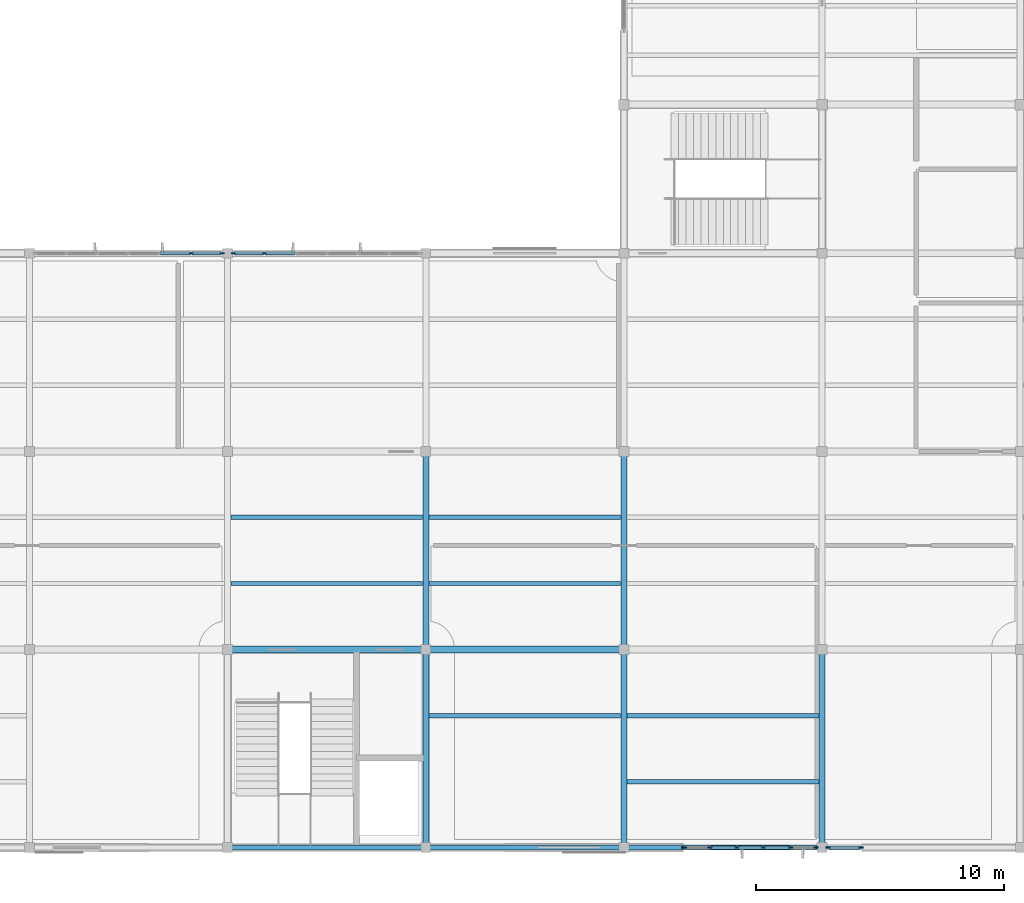
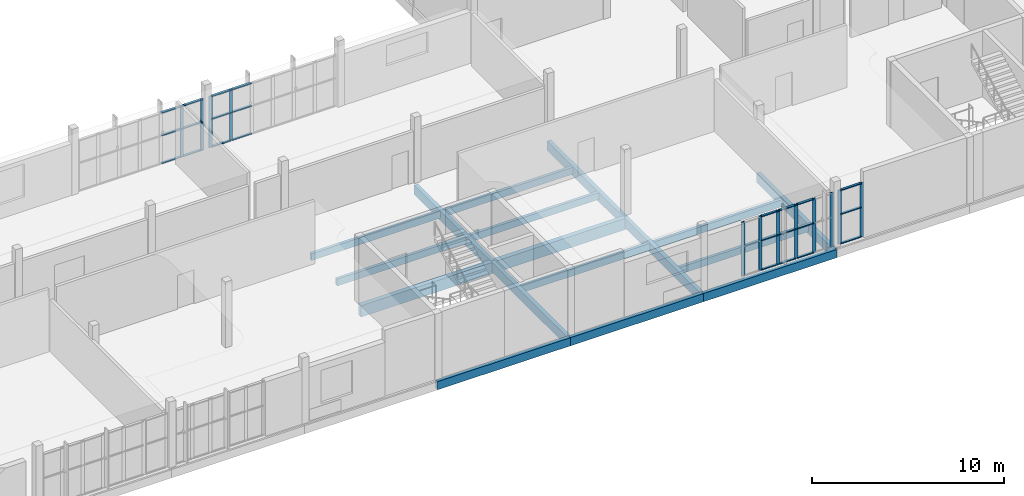
# One storey, part 13 of 45: 36 members, 17 beams, 4 elements without a shape of their own.
"""IFC4 building model written with IfcOpenShell, lengths in metres."""

from ifc_helpers import new_model, si_unit, direction, frame, origin, origin_2d, place, context, subcontext, project, spatial, rectangle, extrude, material, layer, layer_set, material_profile, profile_set, type_object, element, aggregate, save


model = new_model("IFC4")

# Units and contexts
model_context = context("Model", 3, precision=1e-05, world=origin(), true_north=direction((0.0, 1.0)))
body_context = subcontext(model_context, "Body", "Model", "MODEL_VIEW")
ifc_project = project(units=[si_unit("LENGTHUNIT", "METRE"), si_unit("AREAUNIT", "SQUARE_METRE"), si_unit("VOLUMEUNIT", "CUBIC_METRE"), si_unit("PLANEANGLEUNIT", "RADIAN"), si_unit("MASSUNIT", "GRAM", prefix="KILO")], contexts=[model_context])

# Site, building, storey
site_placement = place(None, origin())
site = spatial("IfcSite", under=ifc_project, at=site_placement, CompositionType="ELEMENT")
building_placement = place(site_placement, origin())
building = spatial("IfcBuilding", under=site, at=building_placement, Name="Solvane Community Centre", CompositionType="ELEMENT")
storey_placement = place(building_placement, frame((0.0, 0.0, 13.800048828125)))
storey = spatial("IfcBuildingStorey", under=building, at=storey_placement, Name="L03", CompositionType="ELEMENT", Elevation=13.800048828125)

# Curtain wall, members
ifc_material_1 = material(Name="Anodised bronze aluminium AW-6063 T6", Category="aluminium")
ifc_layer_1 = layer(ifc_material_1, 0.199951171875)
ifc_layer_set_1 = layer_set([ifc_layer_1], Name="Anodised bronze aluminium AW-6063 T6")
curtain_wall_type_1 = type_object("IfcCurtainWallType", Name="Courtyard Cloister Curtain Wall [14x34dm]", PredefinedType="NOTDEFINED", material=ifc_layer_set_1)
curtain_wall_1_placement = place(storey_placement, origin())
curtain_wall_1 = element("IfcCurtainWall", 1, at=curtain_wall_1_placement, inside=storey, type_object=curtain_wall_type_1, Name="Curtain Wall CW-L03-1256_60-215", PredefinedType="NOTDEFINED")
ifc_material_profile_1 = material_profile(ifc_material_1, rectangle(XDim=0.06005859375, YDim=0.199951171875, at=origin_2d()), Name="CW-M 60x200")
ifc_profile_set_1 = profile_set([ifc_material_profile_1], Name="Anodised bronze aluminium AW-6063 T6")
member_type_1 = type_object("IfcMemberType", Name="Cloister Mullion 60x200", PredefinedType="MULLION", material=ifc_profile_set_1)
member_1_placement = place(storey_placement, frame((125.570068359375, 6.0, 0.0), z_axis=(0.0, 0.0, 1.0), x_axis=(0.0, -1.0, 0.0)))
member_1 = element("IfcMember", 2, at=member_1_placement, type_object=member_type_1, Name="CW03-14x34 mullion 1", PredefinedType="MULLION", context=body_context, shape_type="SweptSolid", body=[
    extrude(rectangle(XDim=0.06005859375, YDim=0.199951171875, at=origin_2d()), origin(), (0.0, 0.0, 1.0), 3.445068359375),
])
member_2_placement = place(storey_placement, frame((124.2451171875, 6.0, 0.0), z_axis=(0.0, 0.0, 1.0), x_axis=(0.0, -1.0, 0.0)))
member_2 = element("IfcMember", 3, at=member_2_placement, type_object=member_type_1, Name="CW03-14x34 mullion 2", PredefinedType="MULLION", context=body_context, shape_type="SweptSolid", body=[
    extrude(rectangle(XDim=0.06005859375, YDim=0.199951171875, at=origin_2d()), origin(), (0.0, 0.0, 1.0), 3.445068359375),
])

ifc_layer_2 = layer(ifc_material_1, 0.199951171875)
ifc_layer_set_2 = layer_set([ifc_layer_2], Name="Anodised bronze aluminium AW-6063 T6")
curtain_wall_type_2 = type_object("IfcCurtainWallType", Name="Courtyard Cloister Curtain Wall [54x34dm]", PredefinedType="NOTDEFINED", material=ifc_layer_set_2)
curtain_wall_2_placement = place(storey_placement, origin())
curtain_wall_2 = element("IfcCurtainWall", 4, at=curtain_wall_2_placement, inside=storey, type_object=curtain_wall_type_2, Name="Curtain Wall CW-L03-1238_60-216", PredefinedType="NOTDEFINED")
member_3_placement = place(storey_placement, frame((123.7548828125, 6.0, 0.0), z_axis=(0.0, 0.0, 1.0), x_axis=(0.0, -1.0, 0.0)))
member_3 = element("IfcMember", 5, at=member_3_placement, type_object=member_type_1, Name="CW03-54x34 mullion 1", PredefinedType="MULLION", context=body_context, shape_type="SweptSolid", body=[
    extrude(rectangle(XDim=0.06005859375, YDim=0.199951171875, at=origin_2d()), origin(), (0.0, 0.0, 1.0), 3.445068359375),
])
member_4_placement = place(storey_placement, frame((122.7080078125, 6.0, 0.0), z_axis=(0.0, 0.0, 1.0), x_axis=(0.0, -1.0, 0.0)))
member_4 = element("IfcMember", 6, at=member_4_placement, type_object=member_type_1, Name="CW03-54x34 mullion 2", PredefinedType="MULLION", context=body_context, shape_type="SweptSolid", body=[
    extrude(rectangle(XDim=0.06005859375, YDim=0.199951171875, at=origin_2d()), origin(), (0.0, 0.0, 1.0), 3.445068359375),
])
member_5_placement = place(storey_placement, frame((121.631103515625, 6.0, 0.0), z_axis=(0.0, 0.0, 1.0), x_axis=(0.0, -1.0, 0.0)))
member_5 = element("IfcMember", 7, at=member_5_placement, type_object=member_type_1, Name="CW03-54x34 mullion 3", PredefinedType="MULLION", context=body_context, shape_type="SweptSolid", body=[
    extrude(rectangle(XDim=0.06005859375, YDim=0.199951171875, at=origin_2d()), origin(), (0.0, 0.0, 1.0), 3.445068359375),
])
member_6_placement = place(storey_placement, frame((120.553955078125, 6.0, 0.0), z_axis=(0.0, 0.0, 1.0), x_axis=(0.0, -1.0, 0.0)))
member_6 = element("IfcMember", 8, at=member_6_placement, type_object=member_type_1, Name="CW03-54x34 mullion 4", PredefinedType="MULLION", context=body_context, shape_type="SweptSolid", body=[
    extrude(rectangle(XDim=0.06005859375, YDim=0.199951171875, at=origin_2d()), origin(), (0.0, 0.0, 1.0), 3.445068359375),
])
member_7_placement = place(storey_placement, frame((119.47705078125, 6.0, 0.0), z_axis=(0.0, 0.0, 1.0), x_axis=(0.0, -1.0, 0.0)))
member_7 = element("IfcMember", 9, at=member_7_placement, type_object=member_type_1, Name="CW03-54x34 mullion 5", PredefinedType="MULLION", context=body_context, shape_type="SweptSolid", body=[
    extrude(rectangle(XDim=0.06005859375, YDim=0.199951171875, at=origin_2d()), origin(), (0.0, 0.0, 1.0), 3.445068359375),
])
member_8_placement = place(storey_placement, frame((118.429931640625, 6.0, 0.0), z_axis=(0.0, 0.0, 1.0), x_axis=(0.0, -1.0, 0.0)))
member_8 = element("IfcMember", 10, at=member_8_placement, type_object=member_type_1, Name="CW03-54x34 mullion 6", PredefinedType="MULLION", context=body_context, shape_type="SweptSolid", body=[
    extrude(rectangle(XDim=0.06005859375, YDim=0.199951171875, at=origin_2d()), origin(), (0.0, 0.0, 1.0), 3.445068359375),
])

ifc_layer_3 = layer(ifc_material_1, 0.199951171875)
ifc_layer_set_3 = layer_set([ifc_layer_3], Name="Anodised bronze aluminium AW-6063 T6")
curtain_wall_type_3 = type_object("IfcCurtainWallType", Name="Courtyard Cloister Curtain Wall [76x33dm]", PredefinedType="NOTDEFINED", material=ifc_layer_set_3)
curtain_wall_3_placement = place(storey_placement, origin())
curtain_wall_3 = element("IfcCurtainWall", 11, at=curtain_wall_3_placement, inside=storey, type_object=curtain_wall_type_3, Name="Curtain Wall CW-L03-922_300-223", PredefinedType="NOTDEFINED")
member_9_placement = place(storey_placement, frame((98.5234375, 30.0, 0.0), z_axis=(0.0, 0.0, 1.0), x_axis=(0.0, 1.0, 0.0)))
member_9 = element("IfcMember", 12, at=member_9_placement, type_object=member_type_1, Name="CW03-76x33 mullion 6", PredefinedType="MULLION", context=body_context, shape_type="SweptSolid", body=[
    extrude(rectangle(XDim=0.06005859375, YDim=0.199951171875, at=origin_2d()), origin(), (0.0, 0.0, 1.0), 3.264892578125),
])
member_10_placement = place(storey_placement, frame((99.7548828125, 30.0, 0.0), z_axis=(0.0, 0.0, 1.0), x_axis=(0.0, 1.0, 0.0)))
member_10 = element("IfcMember", 13, at=member_10_placement, type_object=member_type_1, Name="CW03-76x33 mullion 7", PredefinedType="MULLION", context=body_context, shape_type="SweptSolid", body=[
    extrude(rectangle(XDim=0.06005859375, YDim=0.199951171875, at=origin_2d()), origin(), (0.0, 0.0, 1.0), 3.264892578125),
])

curtain_wall_4_placement = place(storey_placement, origin())
curtain_wall_4 = element("IfcCurtainWall", 14, at=curtain_wall_4_placement, inside=storey, type_object=curtain_wall_type_3, Name="Curtain Wall CW-L03-1002_300-224", PredefinedType="NOTDEFINED")
member_11_placement = place(storey_placement, frame((100.2451171875, 30.0, 0.0), z_axis=(0.0, 0.0, 1.0), x_axis=(0.0, 1.0, 0.0)))
member_11 = element("IfcMember", 15, at=member_11_placement, type_object=member_type_1, Name="CW03-76x33 mullion 1", PredefinedType="MULLION", context=body_context, shape_type="SweptSolid", body=[
    extrude(rectangle(XDim=0.06005859375, YDim=0.199951171875, at=origin_2d()), origin(), (0.0, 0.0, 1.0), 3.264892578125),
])
member_12_placement = place(storey_placement, frame((101.4765625, 30.0, 0.0), z_axis=(0.0, 0.0, 1.0), x_axis=(0.0, 1.0, 0.0)))
member_12 = element("IfcMember", 16, at=member_12_placement, type_object=member_type_1, Name="CW03-76x33 mullion 2", PredefinedType="MULLION", context=body_context, shape_type="SweptSolid", body=[
    extrude(rectangle(XDim=0.06005859375, YDim=0.199951171875, at=origin_2d()), origin(), (0.0, 0.0, 1.0), 3.264892578125),
])

# Member
ifc_material_profile_2 = material_profile(ifc_material_1, rectangle(XDim=0.139892578125, YDim=0.06005859375, at=origin_2d()), Name="CW-T 60x140")
ifc_profile_set_2 = profile_set([ifc_material_profile_2], Name="Anodised bronze aluminium AW-6063 T6")
member_type_2 = type_object("IfcMemberType", Name="Cloister Transom 60x140", PredefinedType="USERDEFINED", material=ifc_profile_set_2)
member_13_placement = place(storey_placement, frame((125.5400390625, 6.0, 0.030029296875), z_axis=(-1.0, 0.0, 0.0), x_axis=(0.0, -1.0, 0.0)))
member_13 = element("IfcMember", 17, at=member_13_placement, type_object=member_type_2, Name="CW03-14x34 transom 1.1", ObjectType="TRANSOM", PredefinedType="USERDEFINED", context=body_context, shape_type="SweptSolid", body=[
    extrude(rectangle(XDim=0.139892578125, YDim=0.06005859375, at=origin_2d()), origin(), (0.0, 0.0, 1.0), 1.26513671875),
])

member_14_placement = place(storey_placement, frame((125.5400390625, 6.0, 1.89501953125), z_axis=(-1.0, 0.0, 0.0), x_axis=(0.0, -1.0, 0.0)))
member_14 = element("IfcMember", 18, at=member_14_placement, type_object=member_type_2, Name="CW03-14x34 transom 1.2", ObjectType="TRANSOM", PredefinedType="USERDEFINED", context=body_context, shape_type="SweptSolid", body=[
    extrude(rectangle(XDim=0.139892578125, YDim=0.06005859375, at=origin_2d()), origin(), (0.0, 0.0, 1.0), 1.26513671875),
])

member_15_placement = place(storey_placement, frame((125.5400390625, 6.0, 3.4150390625), z_axis=(-1.0, 0.0, 0.0), x_axis=(0.0, -1.0, 0.0)))
member_15 = element("IfcMember", 19, at=member_15_placement, type_object=member_type_2, Name="CW03-14x34 transom 1.3", ObjectType="TRANSOM", PredefinedType="USERDEFINED", context=body_context, shape_type="SweptSolid", body=[
    extrude(rectangle(XDim=0.139892578125, YDim=0.06005859375, at=origin_2d()), origin(), (0.0, 0.0, 1.0), 1.26513671875),
])

aggregate(curtain_wall_1, [member_1, member_2, member_13, member_14, member_15])

member_16_placement = place(storey_placement, frame((122.677978515625, 6.0, 0.030029296875), z_axis=(-1.0, 0.0, 0.0), x_axis=(0.0, -1.0, 0.0)))
member_16 = element("IfcMember", 20, at=member_16_placement, type_object=member_type_2, Name="CW03-54x34 transom 2.1", ObjectType="TRANSOM", PredefinedType="USERDEFINED", context=body_context, shape_type="SweptSolid", body=[
    extrude(rectangle(XDim=0.139892578125, YDim=0.06005859375, at=origin_2d()), origin(), (0.0, 0.0, 1.0), 1.01708984375),
])

member_17_placement = place(storey_placement, frame((122.677978515625, 6.0, 1.89501953125), z_axis=(-1.0, 0.0, 0.0), x_axis=(0.0, -1.0, 0.0)))
member_17 = element("IfcMember", 21, at=member_17_placement, type_object=member_type_2, Name="CW03-54x34 transom 2.2", ObjectType="TRANSOM", PredefinedType="USERDEFINED", context=body_context, shape_type="SweptSolid", body=[
    extrude(rectangle(XDim=0.139892578125, YDim=0.06005859375, at=origin_2d()), origin(), (0.0, 0.0, 1.0), 1.01708984375),
])

member_18_placement = place(storey_placement, frame((122.677978515625, 6.0, 3.4150390625), z_axis=(-1.0, 0.0, 0.0), x_axis=(0.0, -1.0, 0.0)))
member_18 = element("IfcMember", 22, at=member_18_placement, type_object=member_type_2, Name="CW03-54x34 transom 2.3", ObjectType="TRANSOM", PredefinedType="USERDEFINED", context=body_context, shape_type="SweptSolid", body=[
    extrude(rectangle(XDim=0.139892578125, YDim=0.06005859375, at=origin_2d()), origin(), (0.0, 0.0, 1.0), 1.01708984375),
])

member_19_placement = place(storey_placement, frame((121.60107421875, 6.0, 0.030029296875), z_axis=(-1.0, 0.0, 0.0), x_axis=(0.0, -1.0, 0.0)))
member_19 = element("IfcMember", 23, at=member_19_placement, type_object=member_type_2, Name="CW03-54x34 transom 3.1", ObjectType="TRANSOM", PredefinedType="USERDEFINED", context=body_context, shape_type="SweptSolid", body=[
    extrude(rectangle(XDim=0.139892578125, YDim=0.06005859375, at=origin_2d()), origin(), (0.0, 0.0, 1.0), 1.01708984375),
])

member_20_placement = place(storey_placement, frame((121.60107421875, 6.0, 1.89501953125), z_axis=(-1.0, 0.0, 0.0), x_axis=(0.0, -1.0, 0.0)))
member_20 = element("IfcMember", 24, at=member_20_placement, type_object=member_type_2, Name="CW03-54x34 transom 3.2", ObjectType="TRANSOM", PredefinedType="USERDEFINED", context=body_context, shape_type="SweptSolid", body=[
    extrude(rectangle(XDim=0.139892578125, YDim=0.06005859375, at=origin_2d()), origin(), (0.0, 0.0, 1.0), 1.01708984375),
])

member_21_placement = place(storey_placement, frame((121.60107421875, 6.0, 3.4150390625), z_axis=(-1.0, 0.0, 0.0), x_axis=(0.0, -1.0, 0.0)))
member_21 = element("IfcMember", 25, at=member_21_placement, type_object=member_type_2, Name="CW03-54x34 transom 3.3", ObjectType="TRANSOM", PredefinedType="USERDEFINED", context=body_context, shape_type="SweptSolid", body=[
    extrude(rectangle(XDim=0.139892578125, YDim=0.06005859375, at=origin_2d()), origin(), (0.0, 0.0, 1.0), 1.01708984375),
])

member_22_placement = place(storey_placement, frame((120.52392578125, 6.0, 0.030029296875), z_axis=(-1.0, 0.0, 0.0), x_axis=(0.0, -1.0, 0.0)))
member_22 = element("IfcMember", 26, at=member_22_placement, type_object=member_type_2, Name="CW03-54x34 transom 4.1", ObjectType="TRANSOM", PredefinedType="USERDEFINED", context=body_context, shape_type="SweptSolid", body=[
    extrude(rectangle(XDim=0.139892578125, YDim=0.06005859375, at=origin_2d()), origin(), (0.0, 0.0, 1.0), 1.016845703125),
])

member_23_placement = place(storey_placement, frame((120.52392578125, 6.0, 1.89501953125), z_axis=(-1.0, 0.0, 0.0), x_axis=(0.0, -1.0, 0.0)))
member_23 = element("IfcMember", 27, at=member_23_placement, type_object=member_type_2, Name="CW03-54x34 transom 4.2", ObjectType="TRANSOM", PredefinedType="USERDEFINED", context=body_context, shape_type="SweptSolid", body=[
    extrude(rectangle(XDim=0.139892578125, YDim=0.06005859375, at=origin_2d()), origin(), (0.0, 0.0, 1.0), 1.016845703125),
])

member_24_placement = place(storey_placement, frame((120.52392578125, 6.0, 3.4150390625), z_axis=(-1.0, 0.0, 0.0), x_axis=(0.0, -1.0, 0.0)))
member_24 = element("IfcMember", 28, at=member_24_placement, type_object=member_type_2, Name="CW03-54x34 transom 4.3", ObjectType="TRANSOM", PredefinedType="USERDEFINED", context=body_context, shape_type="SweptSolid", body=[
    extrude(rectangle(XDim=0.139892578125, YDim=0.06005859375, at=origin_2d()), origin(), (0.0, 0.0, 1.0), 1.016845703125),
])

aggregate(curtain_wall_2, [member_3, member_4, member_5, member_6, member_7, member_8, member_16, member_17, member_18, member_19, member_20, member_21, member_22, member_23, member_24])

member_25_placement = place(storey_placement, frame((97.291748046875, 30.0, 0.030029296875), z_axis=(1.0, 0.0, 0.0), x_axis=(0.0, 1.0, 0.0)))
member_25 = element("IfcMember", 29, at=member_25_placement, type_object=member_type_2, Name="CW03-76x33 transom 5.1", ObjectType="TRANSOM", PredefinedType="USERDEFINED", context=body_context, shape_type="SweptSolid", body=[
    extrude(rectangle(XDim=0.139892578125, YDim=0.06005859375, at=origin_2d()), origin(), (0.0, 0.0, 1.0), 1.20166015625),
])

member_26_placement = place(storey_placement, frame((97.291748046875, 30.0, 1.7958984375), z_axis=(1.0, 0.0, 0.0), x_axis=(0.0, 1.0, 0.0)))
member_26 = element("IfcMember", 30, at=member_26_placement, type_object=member_type_2, Name="CW03-76x33 transom 5.2", ObjectType="TRANSOM", PredefinedType="USERDEFINED", context=body_context, shape_type="SweptSolid", body=[
    extrude(rectangle(XDim=0.139892578125, YDim=0.06005859375, at=origin_2d()), origin(), (0.0, 0.0, 1.0), 1.20166015625),
])

member_27_placement = place(storey_placement, frame((97.291748046875, 30.0, 3.23486328125), z_axis=(1.0, 0.0, 0.0), x_axis=(0.0, 1.0, 0.0)))
member_27 = element("IfcMember", 31, at=member_27_placement, type_object=member_type_2, Name="CW03-76x33 transom 5.3", ObjectType="TRANSOM", PredefinedType="USERDEFINED", context=body_context, shape_type="SweptSolid", body=[
    extrude(rectangle(XDim=0.139892578125, YDim=0.06005859375, at=origin_2d()), origin(), (0.0, 0.0, 1.0), 1.20166015625),
])

member_28_placement = place(storey_placement, frame((98.55322265625, 30.0, 0.030029296875), z_axis=(1.0, 0.0, 0.0), x_axis=(0.0, 1.0, 0.0)))
member_28 = element("IfcMember", 32, at=member_28_placement, type_object=member_type_2, Name="CW03-76x33 transom 6.1", ObjectType="TRANSOM", PredefinedType="USERDEFINED", context=body_context, shape_type="SweptSolid", body=[
    extrude(rectangle(XDim=0.139892578125, YDim=0.06005859375, at=origin_2d()), origin(), (0.0, 0.0, 1.0), 1.171875),
])

member_29_placement = place(storey_placement, frame((98.55322265625, 30.0, 1.7958984375), z_axis=(1.0, 0.0, 0.0), x_axis=(0.0, 1.0, 0.0)))
member_29 = element("IfcMember", 33, at=member_29_placement, type_object=member_type_2, Name="CW03-76x33 transom 6.2", ObjectType="TRANSOM", PredefinedType="USERDEFINED", context=body_context, shape_type="SweptSolid", body=[
    extrude(rectangle(XDim=0.139892578125, YDim=0.06005859375, at=origin_2d()), origin(), (0.0, 0.0, 1.0), 1.171875),
])

member_30_placement = place(storey_placement, frame((98.55322265625, 30.0, 3.23486328125), z_axis=(1.0, 0.0, 0.0), x_axis=(0.0, 1.0, 0.0)))
member_30 = element("IfcMember", 34, at=member_30_placement, type_object=member_type_2, Name="CW03-76x33 transom 6.3", ObjectType="TRANSOM", PredefinedType="USERDEFINED", context=body_context, shape_type="SweptSolid", body=[
    extrude(rectangle(XDim=0.139892578125, YDim=0.06005859375, at=origin_2d()), origin(), (0.0, 0.0, 1.0), 1.171875),
])

aggregate(curtain_wall_3, [member_9, member_10, member_25, member_26, member_27, member_28, member_29, member_30])

member_31_placement = place(storey_placement, frame((100.27490234375, 30.0, 0.030029296875), z_axis=(1.0, 0.0, 0.0), x_axis=(0.0, 1.0, 0.0)))
member_31 = element("IfcMember", 35, at=member_31_placement, type_object=member_type_2, Name="CW03-76x33 transom 1.1", ObjectType="TRANSOM", PredefinedType="USERDEFINED", context=body_context, shape_type="SweptSolid", body=[
    extrude(rectangle(XDim=0.139892578125, YDim=0.06005859375, at=origin_2d()), origin(), (0.0, 0.0, 1.0), 1.171875),
])

member_32_placement = place(storey_placement, frame((100.27490234375, 30.0, 1.7958984375), z_axis=(1.0, 0.0, 0.0), x_axis=(0.0, 1.0, 0.0)))
member_32 = element("IfcMember", 36, at=member_32_placement, type_object=member_type_2, Name="CW03-76x33 transom 1.2", ObjectType="TRANSOM", PredefinedType="USERDEFINED", context=body_context, shape_type="SweptSolid", body=[
    extrude(rectangle(XDim=0.139892578125, YDim=0.06005859375, at=origin_2d()), origin(), (0.0, 0.0, 1.0), 1.171875),
])

member_33_placement = place(storey_placement, frame((100.27490234375, 30.0, 3.23486328125), z_axis=(1.0, 0.0, 0.0), x_axis=(0.0, 1.0, 0.0)))
member_33 = element("IfcMember", 37, at=member_33_placement, type_object=member_type_2, Name="CW03-76x33 transom 1.3", ObjectType="TRANSOM", PredefinedType="USERDEFINED", context=body_context, shape_type="SweptSolid", body=[
    extrude(rectangle(XDim=0.139892578125, YDim=0.06005859375, at=origin_2d()), origin(), (0.0, 0.0, 1.0), 1.171875),
])

member_34_placement = place(storey_placement, frame((101.506591796875, 30.0, 0.030029296875), z_axis=(1.0, 0.0, 0.0), x_axis=(0.0, 1.0, 0.0)))
member_34 = element("IfcMember", 38, at=member_34_placement, type_object=member_type_2, Name="CW03-76x33 transom 2.1", ObjectType="TRANSOM", PredefinedType="USERDEFINED", context=body_context, shape_type="SweptSolid", body=[
    extrude(rectangle(XDim=0.139892578125, YDim=0.06005859375, at=origin_2d()), origin(), (0.0, 0.0, 1.0), 1.20166015625),
])

member_35_placement = place(storey_placement, frame((101.506591796875, 30.0, 1.7958984375), z_axis=(1.0, 0.0, 0.0), x_axis=(0.0, 1.0, 0.0)))
member_35 = element("IfcMember", 39, at=member_35_placement, type_object=member_type_2, Name="CW03-76x33 transom 2.2", ObjectType="TRANSOM", PredefinedType="USERDEFINED", context=body_context, shape_type="SweptSolid", body=[
    extrude(rectangle(XDim=0.139892578125, YDim=0.06005859375, at=origin_2d()), origin(), (0.0, 0.0, 1.0), 1.20166015625),
])

member_36_placement = place(storey_placement, frame((101.506591796875, 30.0, 3.23486328125), z_axis=(1.0, 0.0, 0.0), x_axis=(0.0, 1.0, 0.0)))
member_36 = element("IfcMember", 40, at=member_36_placement, type_object=member_type_2, Name="CW03-76x33 transom 2.3", ObjectType="TRANSOM", PredefinedType="USERDEFINED", context=body_context, shape_type="SweptSolid", body=[
    extrude(rectangle(XDim=0.139892578125, YDim=0.06005859375, at=origin_2d()), origin(), (0.0, 0.0, 1.0), 1.20166015625),
])

aggregate(curtain_wall_4, [member_11, member_12, member_31, member_32, member_33, member_34, member_35, member_36])

# Beams
ifc_material_2 = material(Name="Glulam GL28h", Category="wood")
ifc_material_profile_3 = material_profile(ifc_material_2, rectangle(XDim=0.239990234375, YDim=0.60009765625, at=origin_2d()), Name="GL28h 240x600")
ifc_profile_set_3 = profile_set([ifc_material_profile_3], Name="Glulam GL28h")
beam_type_1 = type_object("IfcBeamType", Name="Glulam Floor Beam 240x600", PredefinedType="BEAM", material=ifc_profile_set_3)
for number, where, z_axis, x_axis, name in (
    (41, (108.0, 6.0, -0.52001953125), (0.0, 1.0, 0.0), (-1.0, 0.0, 0.0), "Beam BM-L03-1080_60-1080_140"),
    (42, (108.0, 14.0, -0.52001953125), (0.0, 1.0, 0.0), (-1.0, 0.0, 0.0), "Beam BM-L03-1080_140-1080_220"),
    (43, (116.0, 6.0, -0.52001953125), (0.0, 1.0, 0.0), (-1.0, 0.0, 0.0), "Beam BM-L03-1160_60-1160_140"),
    (44, (116.0, 14.0, -0.52001953125), (0.0, 1.0, 0.0), (-1.0, 0.0, 0.0), "Beam BM-L03-1160_140-1160_220"),
    (45, (124.0, 6.0, -0.52001953125), (0.0, 1.0, 0.0), (-1.0, 0.0, 0.0), "Beam BM-L03-1240_60-1240_140"),
):
    element("IfcBeam", number, at=place(storey_placement, frame(where, z_axis=z_axis, x_axis=x_axis)), inside=storey, type_object=beam_type_1, Name=name, PredefinedType="BEAM", context=body_context, shape_type="SweptSolid", body=[
        extrude(rectangle(XDim=0.239990234375, YDim=0.60009765625, at=origin_2d()), origin(), (0.0, 0.0, 1.0), 8.0),
    ])
ifc_material_profile_4 = material_profile(ifc_material_2, rectangle(XDim=0.179931640625, YDim=0.43994140625, at=origin_2d()), Name="GL28h 180x440")
ifc_profile_set_4 = profile_set([ifc_material_profile_4], Name="Glulam GL28h")
beam_type_2 = type_object("IfcBeamType", Name="Glulam Floor Joist 180x440", PredefinedType="JOIST", material=ifc_profile_set_4)
for number, where, z_axis, x_axis, name in (
    (46, (100.1298828125, 16.666748046875, -0.43994140625), (1.0, 0.0, 0.0), (0.0, 1.0, 0.0), "Beam BM-L03-1001_167-1079_167"),
    (47, (100.1298828125, 19.333251953125, -0.43994140625), (1.0, 0.0, 0.0), (0.0, 1.0, 0.0), "Beam BM-L03-1001_193-1079_193"),
    (48, (108.1298828125, 11.333251953125, -0.43994140625), (1.0, 0.0, 0.0), (0.0, 1.0, 0.0), "Beam BM-L03-1081_113-1159_113"),
    (49, (108.1298828125, 16.666748046875, -0.43994140625), (1.0, 0.0, 0.0), (0.0, 1.0, 0.0), "Beam BM-L03-1081_167-1159_167"),
    (50, (108.1298828125, 19.333251953125, -0.43994140625), (1.0, 0.0, 0.0), (0.0, 1.0, 0.0), "Beam BM-L03-1081_193-1159_193"),
    (51, (116.1298828125, 8.666748046875, -0.43994140625), (1.0, 0.0, 0.0), (0.0, 1.0, 0.0), "Beam BM-L03-1161_87-1239_87"),
    (52, (116.1298828125, 11.333251953125, -0.43994140625), (1.0, 0.0, 0.0), (0.0, 1.0, 0.0), "Beam BM-L03-1161_113-1239_113"),
):
    element("IfcBeam", number, at=place(storey_placement, frame(where, z_axis=z_axis, x_axis=x_axis)), inside=storey, type_object=beam_type_2, Name=name, PredefinedType="JOIST", context=body_context, shape_type="SweptSolid", body=[
        extrude(rectangle(XDim=0.179931640625, YDim=0.43994140625, at=origin_2d()), origin(), (0.0, 0.0, 1.0), 7.740234375),
    ])
ifc_material_profile_5 = material_profile(ifc_material_2, rectangle(XDim=0.280029296875, YDim=0.719970703125, at=origin_2d()), Name="GL28h 280x720")
ifc_profile_set_5 = profile_set([ifc_material_profile_5], Name="Glulam GL28h")
beam_type_3 = type_object("IfcBeamType", Name="Glulam Long-Span Girder 280x720", PredefinedType="USERDEFINED", material=ifc_profile_set_5)
for number, where, z_axis, x_axis, name in (
    (53, (100.0, 14.0, -0.580078125), (1.0, 0.0, 0.0), (0.0, 1.0, 0.0), "Beam BM-L03-1000_140-1080_140"),
    (54, (108.0, 14.0, -0.580078125), (1.0, 0.0, 0.0), (0.0, 1.0, 0.0), "Beam BM-L03-1080_140-1160_140"),
):
    element("IfcBeam", number, at=place(storey_placement, frame(where, z_axis=z_axis, x_axis=x_axis)), inside=storey, type_object=beam_type_3, Name=name, ObjectType="GIRDER", PredefinedType="USERDEFINED", context=body_context, shape_type="SweptSolid", body=[
        extrude(rectangle(XDim=0.280029296875, YDim=0.719970703125, at=origin_2d()), origin(), (0.0, 0.0, 1.0), 8.0),
    ])
ifc_material_profile_6 = material_profile(ifc_material_2, rectangle(XDim=0.199951171875, YDim=0.52001953125, at=origin_2d()), Name="GL28h 200x520")
ifc_profile_set_6 = profile_set([ifc_material_profile_6], Name="Glulam GL28h")
beam_type_4 = type_object("IfcBeamType", Name="Glulam Spandrel Beam 200x520", PredefinedType="SPANDREL", material=ifc_profile_set_6)
for number, where, z_axis, x_axis, name in (
    (55, (100.0, 6.0, -0.47998046875), (1.0, 0.0, 0.0), (0.0, 1.0, 0.0), "Beam BM-L03-1000_60-1080_60"),
    (56, (108.0, 6.0, -0.47998046875), (1.0, 0.0, 0.0), (0.0, 1.0, 0.0), "Beam BM-L03-1080_60-1160_60"),
    (57, (116.0, 6.0, -0.47998046875), (1.0, 0.0, 0.0), (0.0, 1.0, 0.0), "Beam BM-L03-1160_60-1240_60"),
):
    element("IfcBeam", number, at=place(storey_placement, frame(where, z_axis=z_axis, x_axis=x_axis)), inside=storey, type_object=beam_type_4, Name=name, PredefinedType="SPANDREL", context=body_context, shape_type="SweptSolid", body=[
        extrude(rectangle(XDim=0.199951171875, YDim=0.52001953125, at=origin_2d()), origin(), (0.0, 0.0, 1.0), 8.0),
    ])

save(model, "model.ifc")
